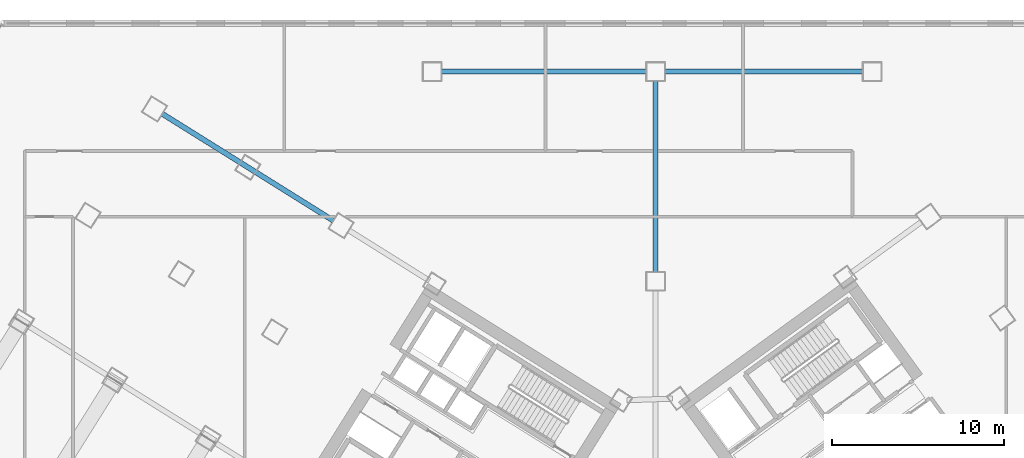
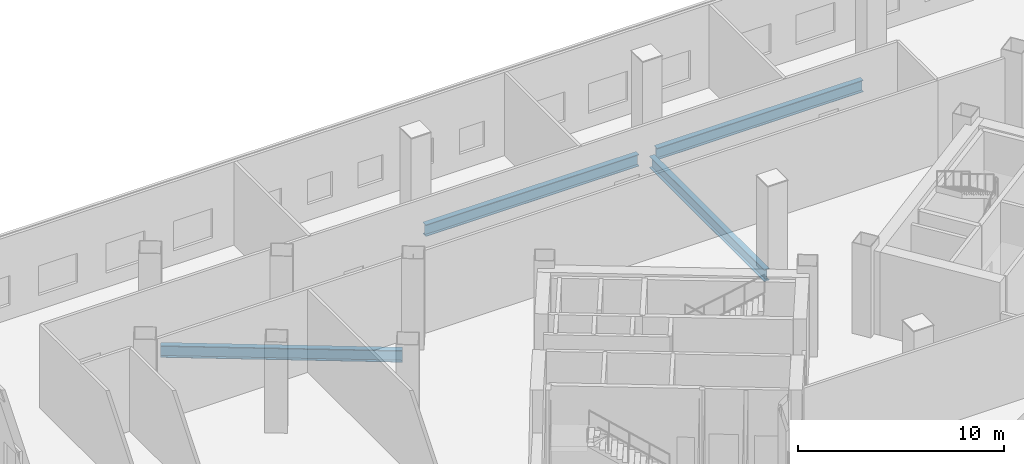
# One storey, part 5 of 23: 4 beams.
"""IFC4 building model written with IfcOpenShell, lengths in metres."""

from ifc_helpers import new_model, si_unit, direction, frame, origin, origin_2d, place, context, subcontext, project, spatial, i_section, extrude, source, transform, mapped, material, material_profile, profile_set, type_object, element, save


model = new_model("IFC4")

# Units and contexts
model_context = context("Model", 3, precision=1e-05, world=origin(), true_north=direction((0.0, 1.0)))
body_context = subcontext(model_context, "Body", "Model", "MODEL_VIEW")
ifc_project = project(units=[si_unit("LENGTHUNIT", "METRE"), si_unit("AREAUNIT", "SQUARE_METRE"), si_unit("VOLUMEUNIT", "CUBIC_METRE"), si_unit("PLANEANGLEUNIT", "RADIAN"), si_unit("MASSUNIT", "GRAM", prefix="KILO")], contexts=[model_context])

# Site, building, storey
site_placement = place(None, origin())
site = spatial("IfcSite", under=ifc_project, at=site_placement, CompositionType="ELEMENT")
building_placement = place(site_placement, origin())
building = spatial("IfcBuilding", under=site, at=building_placement, Name="Tlacorven Tower", CompositionType="ELEMENT")
storey_placement = place(building_placement, frame((0.0, 0.0, 18.60009765625)))
storey = spatial("IfcBuildingStorey", under=building, at=storey_placement, Name="L04", CompositionType="ELEMENT", Elevation=18.60009765625)

# Beams
ifc_material = material(Name="Steel S355J2", Category="steel")
ifc_material_profile = material_profile(ifc_material, i_section(OverallWidth=0.300048828125, OverallDepth=0.699951171875, WebThickness=0.01708984375, FlangeThickness=0.031982421875, at=origin_2d()), Name="HEB 700")
ifc_profile_set = profile_set([ifc_material_profile], Name="Steel S355J2")
beam_type = type_object("IfcBeamType", Name="BM-POD-700", PredefinedType="BEAM", material=ifc_profile_set)
shared_shape_1 = source(origin(), body_context, "Body", "SweptSolid", [
    extrude(i_section(OverallWidth=0.300048828125, OverallDepth=0.699951171875, WebThickness=0.01708984375, FlangeThickness=0.031982421875, at=origin_2d()), origin(), (0.0, 0.0, 1.0), 11.97998046875),
])
beam_1_placement = place(storey_placement, frame((30.31005859375, 43.60009765625, -0.7001953125), z_axis=(1.0, 0.0, 0.0), x_axis=(0.0, 1.0, 0.0)))
element("IfcBeam", 1, at=beam_1_placement, inside=storey, type_object=beam_type, Name="L04 beam BM-L04-GX4-1", PredefinedType="BEAM", context=body_context, shape_type="MappedRepresentation", body=[
    mapped(shared_shape_1, transform((0.0, 0.0, 0.0), scale=1.0)),
])
shared_shape_2 = source(origin(), body_context, "Body", "SweptSolid", [
    extrude(i_section(OverallWidth=0.300048828125, OverallDepth=0.699951171875, WebThickness=0.01708984375, FlangeThickness=0.031982421875, at=origin_2d()), origin(), (0.0, 0.0, 1.0), 11.579833984375),
])
beam_2_placement = place(storey_placement, frame((43.31005859375, 43.60009765625, -0.7001953125), z_axis=(1.0, 0.0, 0.0), x_axis=(0.0, 1.0, 0.0)))
element("IfcBeam", 2, at=beam_2_placement, inside=storey, type_object=beam_type, Name="L04 beam BM-L04-GX4-2", PredefinedType="BEAM", context=body_context, shape_type="MappedRepresentation", body=[
    mapped(shared_shape_2, transform((0.0, 0.0, 0.0), scale=1.0)),
])
shared_shape_3 = source(origin(), body_context, "Body", "SweptSolid", [
    extrude(i_section(OverallWidth=0.300048828125, OverallDepth=0.699951171875, WebThickness=0.01708984375, FlangeThickness=0.031982421875, at=origin_2d()), origin(), (0.0, 0.0, 1.0), 11.18017578125),
])
beam_3_placement = place(storey_placement, frame((42.800048828125, 31.909912109375, -0.7001953125), z_axis=(0.0, 1.0, 0.0), x_axis=(-1.0, 0.0, 0.0)))
element("IfcBeam", 3, at=beam_3_placement, inside=storey, type_object=beam_type, Name="L04 beam BM-L04-GY4-3", PredefinedType="BEAM", context=body_context, shape_type="MappedRepresentation", body=[
    mapped(shared_shape_3, transform((0.0, 0.0, 0.0), scale=1.0)),
])
shared_shape_4 = source(origin(), body_context, "Body", "SweptSolid", [
    extrude(i_section(OverallWidth=0.300048828125, OverallDepth=0.699951171875, WebThickness=0.01708984375, FlangeThickness=0.031982421875, at=origin_2d()), origin(), (0.0, 0.0, 1.0), 11.780029296875),
])
beam_4_placement = place(storey_placement, frame((24.06787109375, 34.9130859375, -0.7001953125), z_axis=(-0.848048366356, 0.529918831823, 0.0), x_axis=(-0.529918831823, -0.848048366356, 0.0)))
element("IfcBeam", 4, at=beam_4_placement, inside=storey, type_object=beam_type, Name="L04 beam BM-L04-WTG3-1", PredefinedType="BEAM", context=body_context, shape_type="MappedRepresentation", body=[
    mapped(shared_shape_4, transform((0.0, 0.0, 0.0), scale=1.0)),
])

save(model, "model.ifc")
